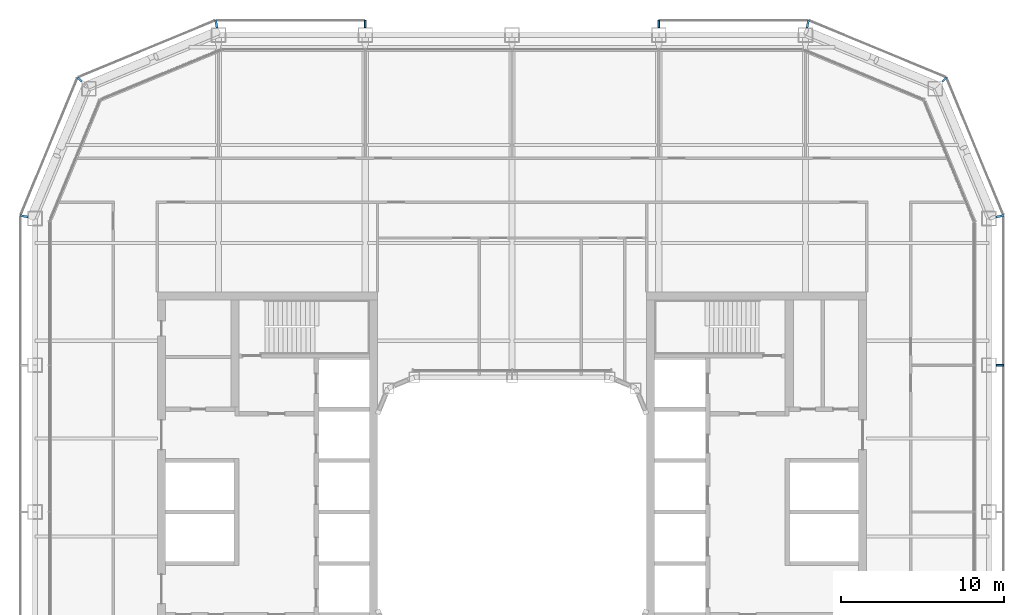
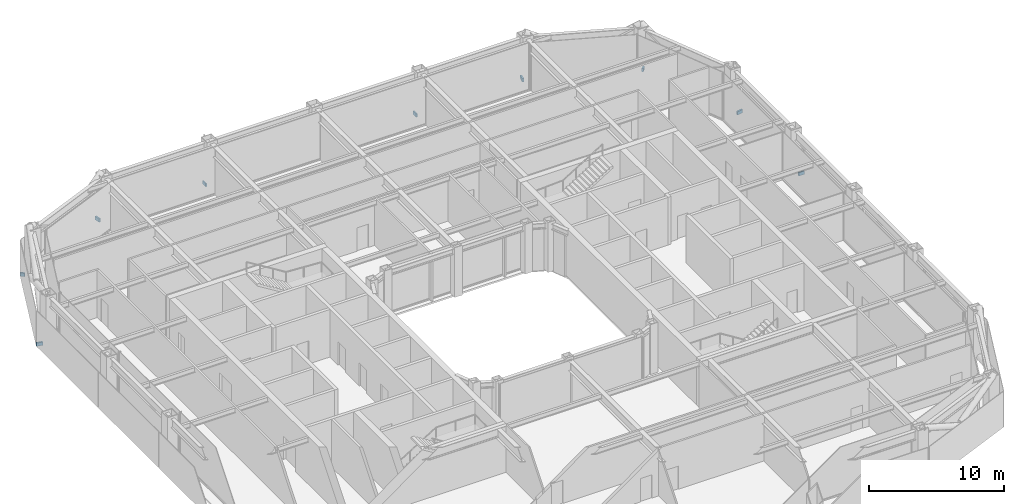
# One storey, part 16 of 21: 9 discrete accessories.
"""IFC4 building model written with IfcOpenShell, lengths in metres."""

from ifc_helpers import new_model, si_unit, direction, frame, origin, origin_2d, place, context, subcontext, project, spatial, rectangle, extrude, material, type_object, element, save


model = new_model("IFC4")

# Units and contexts
model_context = context("Model", 3, precision=1e-05, world=origin(), true_north=direction((0.0, 1.0)))
body_context = subcontext(model_context, "Body", "Model", "MODEL_VIEW")
ifc_project = project(units=[si_unit("LENGTHUNIT", "METRE"), si_unit("AREAUNIT", "SQUARE_METRE"), si_unit("VOLUMEUNIT", "CUBIC_METRE"), si_unit("PLANEANGLEUNIT", "RADIAN"), si_unit("MASSUNIT", "GRAM", prefix="KILO")], contexts=[model_context])

# Site, building, storey
site_placement = place(None, origin())
site = spatial("IfcSite", under=ifc_project, at=site_placement, CompositionType="ELEMENT")
building_placement = place(site_placement, origin())
building = spatial("IfcBuilding", under=site, at=building_placement, Name="Siwar Civic Tower", CompositionType="ELEMENT")
storey_placement = place(building_placement, frame((0.0, 0.0, 176.699951171875)))
storey = spatial("IfcBuildingStorey", under=building, at=storey_placement, Name="L38", CompositionType="ELEMENT", Elevation=176.699951171875)

# Discrete accessories
ifc_material = material(Name="Stainless steel 316", Category="steel")
discrete_accessory_type = type_object("IfcDiscreteAccessoryType", Name="ENV-BRACKET", PredefinedType="BRACKET", material=ifc_material)
for number, where, z_axis, x_axis, name in (
    (1, (29.9150390625, 9.0, -0.14990234375), (0.0, 0.0, 1.0), (1.0, 0.0, 0.0), "Bracket outer skin joint E-03"),
    (2, (9.0, 29.9150390625, -0.14990234375), (0.0, 0.0, 1.0), (0.0, 1.0, 0.0), "Bracket outer skin joint N-01"),
    (3, (-9.0, 29.9150390625, -0.14990234375), (0.0, 0.0, 1.0), (0.0, 1.0, 0.0), "Bracket outer skin joint N-03"),
):
    element("IfcDiscreteAccessory", number, at=place(storey_placement, frame(where, z_axis=z_axis, x_axis=x_axis)), inside=storey, type_object=discrete_accessory_type, Name=name, PredefinedType="BRACKET", context=body_context, shape_type="SweptSolid", body=[
        extrude(rectangle(XDim=0.469970703125, YDim=0.10009765625, at=origin_2d()), origin(), (0.0, 0.0, 1.0), 0.300048828125),
    ])
discrete_accessory_1_placement = place(storey_placement, frame((29.915283203125, 18.13232421875, -0.14990234375), z_axis=(0.0, 0.0, 1.0), x_axis=(0.980785280403, 0.195090322016, 0.0)))
element("IfcDiscreteAccessory", 4, at=discrete_accessory_1_placement, inside=storey, type_object=discrete_accessory_type, Name="Bracket outer skin joint V04", PredefinedType="BRACKET", context=body_context, shape_type="SweptSolid", body=[
    extrude(rectangle(XDim=0.478759765625, YDim=0.13720703125, at=origin_2d()), origin(), (0.0, 0.0, 1.0), 0.300048828125),
])
discrete_accessory_2_placement = place(storey_placement, frame((26.517333984375, 26.517333984375, -0.14990234375), z_axis=(0.0, 0.0, 1.0), x_axis=(0.707106781187, 0.707106781187, 0.0)))
element("IfcDiscreteAccessory", 5, at=discrete_accessory_2_placement, inside=storey, type_object=discrete_accessory_type, Name="Bracket outer skin joint V05", PredefinedType="BRACKET", context=body_context, shape_type="SweptSolid", body=[
    extrude(rectangle(XDim=0.357666015625, YDim=0.12939453125, at=origin_2d()), origin(), (0.0, 0.0, 1.0), 0.300048828125),
])
for number, where, z_axis, x_axis, name in (
    (6, (18.13232421875, 29.915283203125, -0.14990234375), (0.0, 0.0, 1.0), (0.195090322016, 0.980785280403, 0.0), "Bracket outer skin joint V06"),
    (7, (-18.13232421875, 29.915283203125, -0.14990234375), (0.0, 0.0, 1.0), (-0.195090322016, 0.980785280403, 0.0), "Bracket outer skin joint V07"),
):
    element("IfcDiscreteAccessory", number, at=place(storey_placement, frame(where, z_axis=z_axis, x_axis=x_axis)), inside=storey, type_object=discrete_accessory_type, Name=name, PredefinedType="BRACKET", context=body_context, shape_type="SweptSolid", body=[
        extrude(rectangle(XDim=0.478759765625, YDim=0.13720703125, at=origin_2d()), origin(), (0.0, 0.0, 1.0), 0.300048828125),
    ])
discrete_accessory_3_placement = place(storey_placement, frame((-26.517333984375, 26.517333984375, -0.14990234375), z_axis=(0.0, 0.0, 1.0), x_axis=(-0.707106781187, 0.707106781187, 0.0)))
element("IfcDiscreteAccessory", 8, at=discrete_accessory_3_placement, inside=storey, type_object=discrete_accessory_type, Name="Bracket outer skin joint V08", PredefinedType="BRACKET", context=body_context, shape_type="SweptSolid", body=[
    extrude(rectangle(XDim=0.357666015625, YDim=0.12939453125, at=origin_2d()), origin(), (0.0, 0.0, 1.0), 0.300048828125),
])
discrete_accessory_4_placement = place(storey_placement, frame((-29.915283203125, 18.13232421875, -0.14990234375), z_axis=(0.0, 0.0, 1.0), x_axis=(-0.980785280403, 0.195090322016, 0.0)))
element("IfcDiscreteAccessory", 9, at=discrete_accessory_4_placement, inside=storey, type_object=discrete_accessory_type, Name="Bracket outer skin joint V09", PredefinedType="BRACKET", context=body_context, shape_type="SweptSolid", body=[
    extrude(rectangle(XDim=0.478759765625, YDim=0.13720703125, at=origin_2d()), origin(), (0.0, 0.0, 1.0), 0.300048828125),
])

save(model, "model.ifc")
